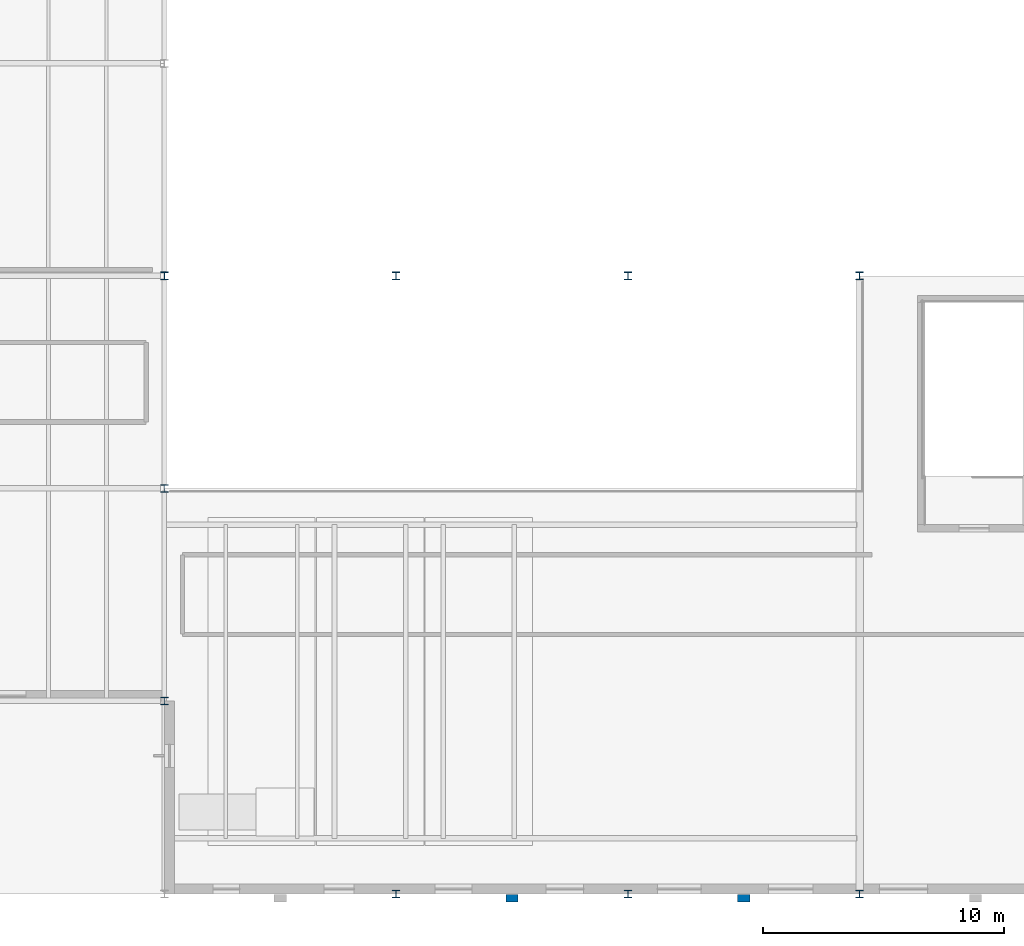
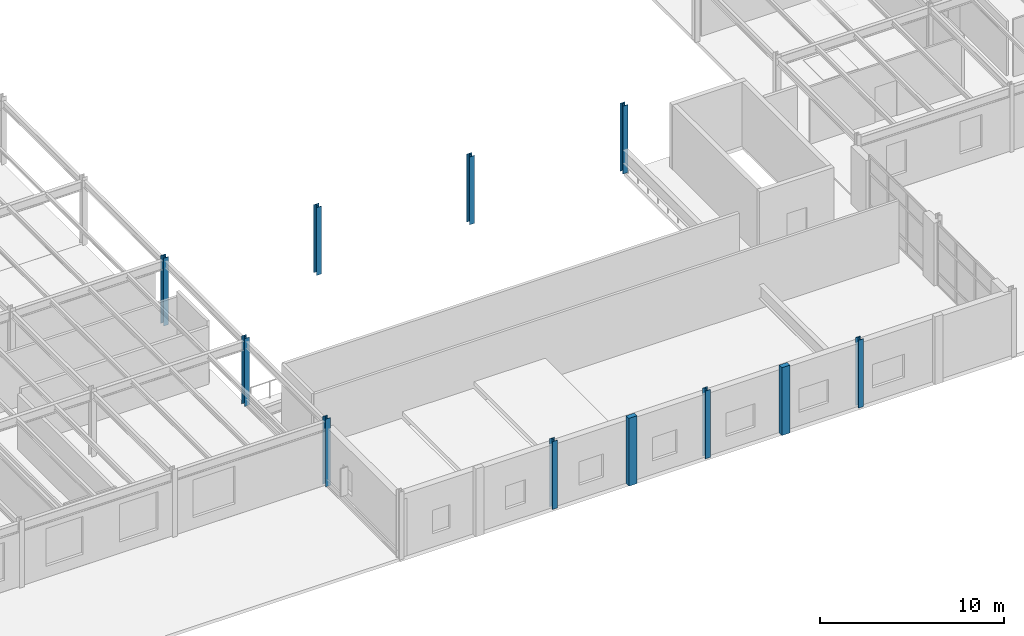
# One storey, part 2 of 77: 11 columns.
"""IFC4 building model written with IfcOpenShell, lengths in metres."""

from ifc_helpers import new_model, si_unit, direction, frame, origin, origin_2d, place, context, subcontext, project, spatial, rectangle, i_section, extrude, material, material_profile, profile_set, type_object, element, save


model = new_model("IFC4")

# Units and contexts
model_context = context("Model", 3, precision=1e-05, world=origin(), true_north=direction((0.0, 1.0)))
body_context = subcontext(model_context, "Body", "Model", "MODEL_VIEW")
ifc_project = project(units=[si_unit("LENGTHUNIT", "METRE"), si_unit("AREAUNIT", "SQUARE_METRE"), si_unit("VOLUMEUNIT", "CUBIC_METRE"), si_unit("PLANEANGLEUNIT", "RADIAN"), si_unit("MASSUNIT", "GRAM", prefix="KILO")], contexts=[model_context])

# Site, building, storey
site_placement = place(None, origin())
site = spatial("IfcSite", under=ifc_project, at=site_placement, CompositionType="ELEMENT")
building_placement = place(site_placement, origin())
building = spatial("IfcBuilding", under=site, at=building_placement, Name="Sarnbrook Museum", CompositionType="ELEMENT")
storey_placement = place(building_placement, frame((0.0, 0.0, 5.60009765625)))
storey = spatial("IfcBuildingStorey", under=building, at=storey_placement, Name="L01", CompositionType="ELEMENT", Elevation=5.60009765625)

# Columns
ifc_material_1 = material(Name="Structural Steel Grade 300PLUS (AS/NZS 3679.1, fy = 280 MPa for 17 < t <= 40 mm, 300 MPa for t <= 17 mm)", Category="steel")
ifc_material_profile_1 = material_profile(ifc_material_1, i_section(OverallWidth=0.306884765625, OverallDepth=0.31494140625, WebThickness=0.011962890625, FlangeThickness=0.018798828125, FilletRadius=0.0166015625, at=origin_2d()), Name="310UC118")
ifc_profile_set_1 = profile_set([ifc_material_profile_1], Name="Structural Steel Grade 300PLUS (AS/NZS 3679.1, fy = 280 MPa for 17 < t <= 40 mm, 300 MPa for t <= 17 mm)")
column_type_1 = type_object("IfcColumnType", Name="COL-UC310", PredefinedType="COLUMN", material=ifc_profile_set_1)
for number, where, z_axis, x_axis, name in (
    (1, (42.39990234375, 12.800048828125, 0.0), (0.0, 0.0, 1.0), (1.0, 0.0, 0.0), "Column 5-B L01"),
    (2, (42.39990234375, 21.60009765625, 0.0), (0.0, 0.0, 1.0), (1.0, 0.0, 0.0), "Column 5-C L01"),
):
    element("IfcColumn", number, at=place(storey_placement, frame(where, z_axis=z_axis, x_axis=x_axis)), inside=storey, type_object=column_type_1, Name=name, PredefinedType="COLUMN", context=body_context, shape_type="SweptSolid", body=[
        extrude(i_section(OverallWidth=0.306884765625, OverallDepth=0.31494140625, WebThickness=0.011962890625, FlangeThickness=0.018798828125, FilletRadius=0.0166015625, at=origin_2d()), origin(), (0.0, 0.0, 1.0), 4.5),
    ])
ifc_material_profile_2 = material_profile(ifc_material_1, i_section(OverallWidth=0.31103515625, OverallDepth=0.326904296875, WebThickness=0.015625, FlangeThickness=0.02490234375, FilletRadius=0.0166015625, at=origin_2d()), Name="310UC158")
ifc_profile_set_2 = profile_set([ifc_material_profile_2], Name="Structural Steel Grade 300PLUS (AS/NZS 3679.1, fy = 280 MPa for 17 < t <= 40 mm, 300 MPa for t <= 17 mm)")
column_type_2 = type_object("IfcColumnType", Name="COL-UC310H", PredefinedType="COLUMN", material=ifc_profile_set_2)
for number, where, z_axis, x_axis, name in (
    (3, (42.39990234375, 30.39990234375, 0.0), (0.0, 0.0, 1.0), (1.0, 0.0, 0.0), "Column 5-D L01"),
    (4, (52.0, 4.800048828125, 0.0), (0.0, 0.0, 1.0), (1.0, 0.0, 0.0), "Column 6-A L01"),
    (5, (52.0, 30.39990234375, 0.0), (0.0, 0.0, 1.0), (1.0, 0.0, 0.0), "Column 6-D L01"),
    (6, (61.60009765625, 4.800048828125, 0.0), (0.0, 0.0, 1.0), (1.0, 0.0, 0.0), "Column 7-A L01"),
    (7, (61.60009765625, 30.39990234375, 0.0), (0.0, 0.0, 1.0), (1.0, 0.0, 0.0), "Column 7-D L01"),
    (8, (71.199951171875, 4.800048828125, 0.0), (0.0, 0.0, 1.0), (1.0, 0.0, 0.0), "Column 8-A L01"),
    (9, (71.199951171875, 30.39990234375, 0.0), (0.0, 0.0, 1.0), (1.0, 0.0, 0.0), "Column 8-D L01"),
):
    element("IfcColumn", number, at=place(storey_placement, frame(where, z_axis=z_axis, x_axis=x_axis)), inside=storey, type_object=column_type_2, Name=name, PredefinedType="COLUMN", context=body_context, shape_type="SweptSolid", body=[
        extrude(i_section(OverallWidth=0.31103515625, OverallDepth=0.326904296875, WebThickness=0.015625, FlangeThickness=0.02490234375, FilletRadius=0.0166015625, at=origin_2d()), origin(), (0.0, 0.0, 1.0), 4.5),
    ])
ifc_material_2 = material(Name="Concrete N40 (AS 3600, f'c = 40 MPa)", Category="concrete")
ifc_material_profile_3 = material_profile(ifc_material_2, rectangle(XDim=0.5, YDim=0.300048828125, at=origin_2d()), Name="PILASTER 500x300")
ifc_profile_set_3 = profile_set([ifc_material_profile_3], Name="Concrete N40 (AS 3600, f'c = 40 MPa)")
column_type_3 = type_object("IfcColumnType", Name="PIL-500x300", PredefinedType="PILASTER", material=ifc_profile_set_3)
for number, where, z_axis, x_axis, name in (
    (10, (56.800048828125, 4.6201171875, 0.0), (0.0, 0.0, 1.0), (1.0, 0.0, 0.0), "Sandstone Classical Pilaster P-S2 L01"),
    (11, (66.39990234375, 4.6201171875, 0.0), (0.0, 0.0, 1.0), (1.0, 0.0, 0.0), "Sandstone Classical Pilaster P-S3 L01"),
):
    element("IfcColumn", number, at=place(storey_placement, frame(where, z_axis=z_axis, x_axis=x_axis)), inside=storey, type_object=column_type_3, Name=name, PredefinedType="PILASTER", context=body_context, shape_type="SweptSolid", body=[
        extrude(rectangle(XDim=0.5, YDim=0.300048828125, at=origin_2d()), origin(), (0.0, 0.0, 1.0), 4.5),
    ])

save(model, "model.ifc")
